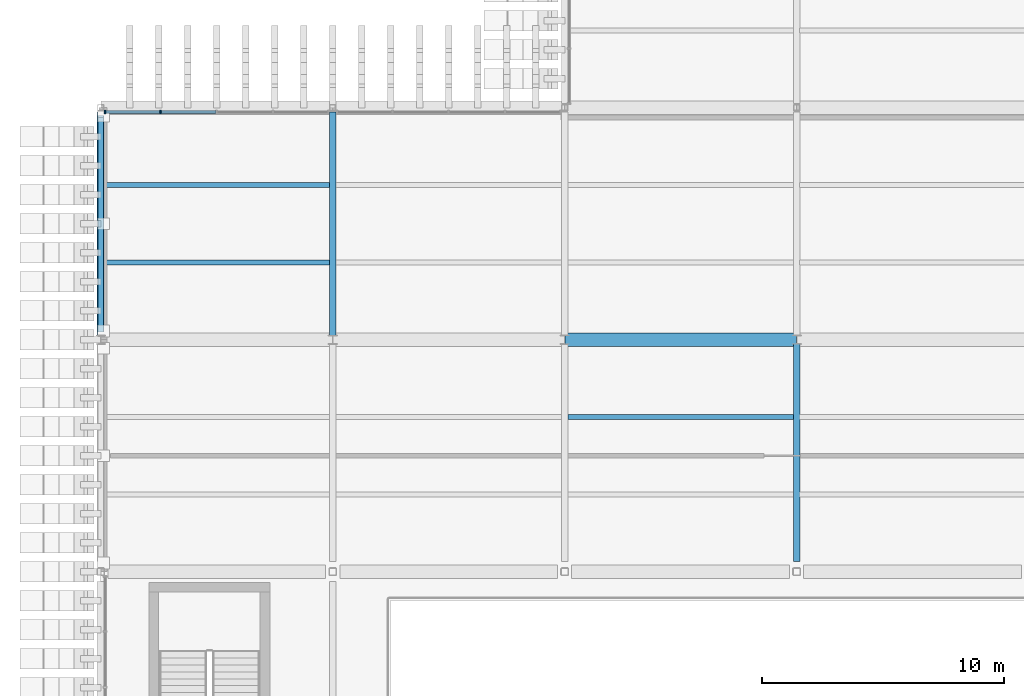
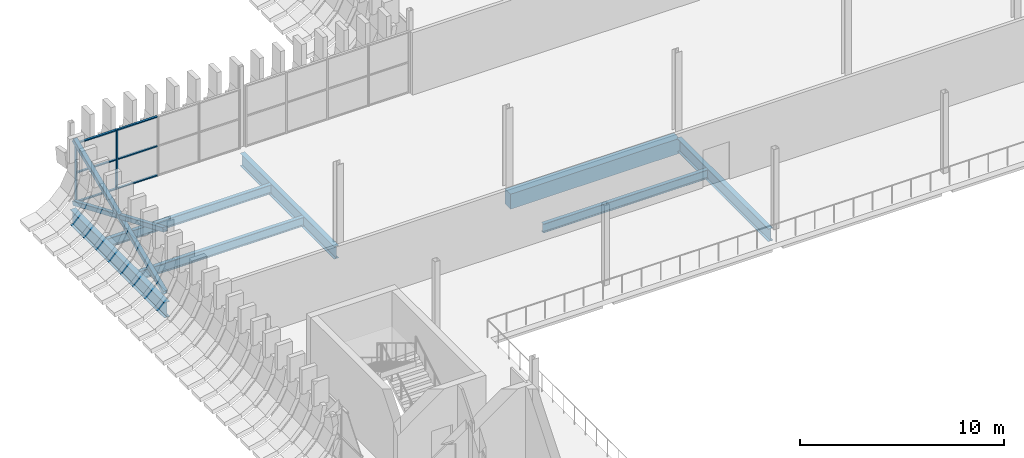
# One storey, part 22 of 100: 11 members, 7 beams, 1 element without a shape of its own.
"""IFC4 building model written with IfcOpenShell, lengths in metres."""

from ifc_helpers import new_model, si_unit, direction, frame, origin, origin_2d, place, context, subcontext, project, spatial, rectangle, hollow_rectangle, i_section, extrude, material, layer, layer_set, material_profile, profile_set, type_object, element, aggregate, save


model = new_model("IFC4")

# Units and contexts
model_context = context("Model", 3, precision=1e-05, world=origin(), true_north=direction((0.0, 1.0)))
body_context = subcontext(model_context, "Body", "Model", "MODEL_VIEW")
ifc_project = project(units=[si_unit("LENGTHUNIT", "METRE"), si_unit("AREAUNIT", "SQUARE_METRE"), si_unit("VOLUMEUNIT", "CUBIC_METRE"), si_unit("PLANEANGLEUNIT", "RADIAN"), si_unit("MASSUNIT", "GRAM", prefix="KILO")], contexts=[model_context])

# Site, building, storey
site_placement = place(None, origin())
site = spatial("IfcSite", under=ifc_project, at=site_placement, CompositionType="ELEMENT")
building_placement = place(site_placement, origin())
building = spatial("IfcBuilding", under=site, at=building_placement, Name="Caelomonte Colonnade Arena", CompositionType="ELEMENT")
storey_placement = place(building_placement, origin())
storey = spatial("IfcBuildingStorey", under=building, at=storey_placement, Name="L00", CompositionType="ELEMENT", Elevation=0.0)

# Curtain wall, members
ifc_material_1 = material(Name="Bronze anodised aluminium and low-E glazing", Category="aluminium")
ifc_layer = layer(ifc_material_1, 0.179931640625)
ifc_layer_set = layer_set([ifc_layer], Name="Bronze anodised aluminium and low-E glazing")
curtain_wall_type = type_object("IfcCurtainWallType", Name="ENV-CW-CW-L00-96-36", PredefinedType="USERDEFINED", material=ifc_layer_set)
curtain_wall_placement = place(storey_placement, origin())
curtain_wall = element("IfcCurtainWall", 1, at=curtain_wall_placement, inside=storey, type_object=curtain_wall_type, Name="L00 unitized curtain wall CW-L00-0048-0862", ObjectType="UNITIZED CURTAIN WALL", PredefinedType="USERDEFINED")
ifc_material_2 = material(Name="Bronze anodised aluminium AA6063-T6", Category="aluminium")
ifc_material_profile_1 = material_profile(ifc_material_2, rectangle(XDim=0.06494140625, YDim=0.14990234375, at=origin_2d()), Name="CWM-65X150")
ifc_profile_set_1 = profile_set([ifc_material_profile_1], Name="Bronze anodised aluminium AA6063-T6")
member_type_1 = type_object("IfcMemberType", Name="ENV-CW-MULL2", PredefinedType="MULLION", material=ifc_profile_set_1)
member_1_placement = place(storey_placement, frame((2.473388671875, 86.219970703125, 0.0), z_axis=(0.0, 0.0, 1.0), x_axis=(-1.0, 0.0, 0.0)))
member_1 = element("IfcMember", 2, at=member_1_placement, type_object=member_type_1, Name="CW-L00-96-36 mullion 4", PredefinedType="MULLION", context=body_context, shape_type="SweptSolid", body=[
    extrude(rectangle(XDim=0.06494140625, YDim=0.14990234375, at=origin_2d()), origin(), (0.0, 0.0, 1.0), 3.572998046875),
])
member_2_placement = place(storey_placement, frame((0.179443359375, 86.219970703125, 0.0), z_axis=(0.0, 0.0, 1.0), x_axis=(-1.0, 0.0, 0.0)))
member_2 = element("IfcMember", 3, at=member_2_placement, type_object=member_type_1, Name="CW-L00-96-36 mullion 5", PredefinedType="MULLION", context=body_context, shape_type="SweptSolid", body=[
    extrude(rectangle(XDim=0.06494140625, YDim=0.14990234375, at=origin_2d()), origin(), (0.0, 0.0, 1.0), 3.572998046875),
])
ifc_material_profile_2 = material_profile(ifc_material_2, rectangle(XDim=0.06494140625, YDim=0.1201171875, at=origin_2d()), Name="CWT-65X120")
ifc_profile_set_2 = profile_set([ifc_material_profile_2], Name="Bronze anodised aluminium AA6063-T6")
member_type_2 = type_object("IfcMemberType", Name="ENV-CW-TRAN2", PredefinedType="USERDEFINED", material=ifc_profile_set_2)
member_3_placement = place(storey_placement, frame((4.767578125, 86.219970703125, 0.032470703125), z_axis=(-1.0, 0.0, 0.0), x_axis=(0.0, 0.0, 1.0)))
member_3 = element("IfcMember", 4, at=member_3_placement, type_object=member_type_2, Name="CW-L00-96-36 transom 3.1", ObjectType="TRANSOM", PredefinedType="USERDEFINED", context=body_context, shape_type="SweptSolid", body=[
    extrude(rectangle(XDim=0.06494140625, YDim=0.1201171875, at=origin_2d()), origin(), (0.0, 0.0, 1.0), 2.261474609375),
])
member_4_placement = place(storey_placement, frame((4.767578125, 86.219970703125, 1.78662109375), z_axis=(-1.0, 0.0, 0.0), x_axis=(0.0, 0.0, 1.0)))
member_4 = element("IfcMember", 5, at=member_4_placement, type_object=member_type_2, Name="CW-L00-96-36 transom 3.2", ObjectType="TRANSOM", PredefinedType="USERDEFINED", context=body_context, shape_type="SweptSolid", body=[
    extrude(rectangle(XDim=0.06494140625, YDim=0.1201171875, at=origin_2d()), origin(), (0.0, 0.0, 1.0), 2.261474609375),
])
member_5_placement = place(storey_placement, frame((4.767578125, 86.219970703125, 3.54052734375), z_axis=(-1.0, 0.0, 0.0), x_axis=(0.0, 0.0, 1.0)))
member_5 = element("IfcMember", 6, at=member_5_placement, type_object=member_type_2, Name="CW-L00-96-36 transom 3.3", ObjectType="TRANSOM", PredefinedType="USERDEFINED", context=body_context, shape_type="SweptSolid", body=[
    extrude(rectangle(XDim=0.06494140625, YDim=0.1201171875, at=origin_2d()), origin(), (0.0, 0.0, 1.0), 2.261474609375),
])
member_6_placement = place(storey_placement, frame((2.44091796875, 86.219970703125, 0.032470703125), z_axis=(-1.0, 0.0, 0.0), x_axis=(0.0, 0.0, 1.0)))
member_6 = element("IfcMember", 7, at=member_6_placement, type_object=member_type_2, Name="CW-L00-96-36 transom 4.1", ObjectType="TRANSOM", PredefinedType="USERDEFINED", context=body_context, shape_type="SweptSolid", body=[
    extrude(rectangle(XDim=0.06494140625, YDim=0.1201171875, at=origin_2d()), origin(), (0.0, 0.0, 1.0), 2.22900390625),
])
member_7_placement = place(storey_placement, frame((2.44091796875, 86.219970703125, 1.78662109375), z_axis=(-1.0, 0.0, 0.0), x_axis=(0.0, 0.0, 1.0)))
member_7 = element("IfcMember", 8, at=member_7_placement, type_object=member_type_2, Name="CW-L00-96-36 transom 4.2", ObjectType="TRANSOM", PredefinedType="USERDEFINED", context=body_context, shape_type="SweptSolid", body=[
    extrude(rectangle(XDim=0.06494140625, YDim=0.1201171875, at=origin_2d()), origin(), (0.0, 0.0, 1.0), 2.22900390625),
])
member_8_placement = place(storey_placement, frame((2.44091796875, 86.219970703125, 3.54052734375), z_axis=(-1.0, 0.0, 0.0), x_axis=(0.0, 0.0, 1.0)))
member_8 = element("IfcMember", 9, at=member_8_placement, type_object=member_type_2, Name="CW-L00-96-36 transom 4.3", ObjectType="TRANSOM", PredefinedType="USERDEFINED", context=body_context, shape_type="SweptSolid", body=[
    extrude(rectangle(XDim=0.06494140625, YDim=0.1201171875, at=origin_2d()), origin(), (0.0, 0.0, 1.0), 2.22900390625),
])
aggregate(curtain_wall, [member_1, member_2, member_3, member_4, member_5, member_6, member_7, member_8])

# Members
ifc_material_3 = material(Name="Steel ASTM A500 Grade C", Category="steel")
ifc_material_profile_3 = material_profile(ifc_material_3, hollow_rectangle(XDim=0.25390625, YDim=0.25390625, WallThickness=0.009521484375, InnerFilletRadius=0.009521484375, OuterFilletRadius=0.01904296875, at=origin_2d()), Name="HSS254X254X9.5")
ifc_profile_set_3 = profile_set([ifc_material_profile_3], Name="Steel ASTM A500 Grade C")
member_type_3 = type_object("IfcMemberType", Name="STR-BF-DIAG2", PredefinedType="BRACE", material=ifc_profile_set_3)
member_9_placement = place(storey_placement, frame((0.0, 77.163818359375, 0.16162109375), z_axis=(0.0, 0.920106108092, 0.3916691842), x_axis=(-1.0, 0.0, 0.0)))
element("IfcMember", 10, at=member_9_placement, inside=storey, type_object=member_type_3, Name="Braced frame BF2 L00 continuous diagonal A", PredefinedType="BRACE", context=body_context, shape_type="SweptSolid", body=[
    extrude(hollow_rectangle(XDim=0.25390625, YDim=0.25390625, WallThickness=0.009521484375, InnerFilletRadius=0.009521484375, OuterFilletRadius=0.01904296875, at=origin_2d()), origin(), (0.0, 0.0, 1.0), 9.64306640625),
])
for number, where, z_axis, x_axis, name in (
    (11, (0.0, 86.036376953125, 0.16162109375), (0.0, -0.920123691246, 0.391627875423), (1.0, 0.0, 0.0), "Braced frame BF2 L00 split diagonal B1"),
    (12, (0.0, 81.44921875, 2.1142578125), (0.0, -0.920104801315, 0.391672254055), (1.0, 0.0, 0.0), "Braced frame BF2 L00 split diagonal B2"),
):
    element("IfcMember", number, at=place(storey_placement, frame(where, z_axis=z_axis, x_axis=x_axis)), inside=storey, type_object=member_type_3, Name=name, PredefinedType="BRACE", context=body_context, shape_type="SweptSolid", body=[
        extrude(hollow_rectangle(XDim=0.25390625, YDim=0.25390625, WallThickness=0.009521484375, InnerFilletRadius=0.009521484375, OuterFilletRadius=0.01904296875, at=origin_2d()), origin(), (0.0, 0.0, 1.0), 4.657470703125),
    ])

# Beams
ifc_material_4 = material(Name="Wide-flange steel ASTM A992 Grade 50", Category="steel")
ifc_material_profile_4 = material_profile(ifc_material_4, i_section(OverallWidth=0.307861328125, OverallDepth=0.927001953125, WebThickness=0.019287109375, FlangeThickness=0.031982421875, FilletRadius=0.020263671875, at=origin_2d()), Name="W36X194")
ifc_profile_set_4 = profile_set([ifc_material_profile_4], Name="Wide-flange steel ASTM A992 Grade 50")
beam_type_1 = type_object("IfcBeamType", Name="STR-BM-EAVES2", PredefinedType="SPANDREL", material=ifc_profile_set_4)
beam_1_placement = place(storey_placement, frame((0.0, 76.978271484375, -0.763427734375), z_axis=(0.0, 1.0, 0.0), x_axis=(-1.0, 0.0, 0.0)))
element("IfcBeam", 13, at=beam_1_placement, inside=storey, type_object=beam_type_1, Name="L00 girder BMY-L00-0000-0768", PredefinedType="SPANDREL", context=body_context, shape_type="SweptSolid", body=[
    extrude(i_section(OverallWidth=0.307861328125, OverallDepth=0.927001953125, WebThickness=0.019287109375, FlangeThickness=0.031982421875, FilletRadius=0.020263671875, at=origin_2d()), origin(), (0.0, 0.0, 1.0), 9.243408203125),
])
ifc_material_profile_5 = material_profile(ifc_material_4, i_section(OverallWidth=0.2666015625, OverallDepth=0.761962890625, WebThickness=0.014404296875, FlangeThickness=0.021484375, FilletRadius=0.0166015625, at=origin_2d()), Name="W30X116")
ifc_profile_set_5 = profile_set([ifc_material_profile_5], Name="Wide-flange steel ASTM A992 Grade 50")
beam_type_2 = type_object("IfcBeamType", Name="STR-BM-GIRD30", PredefinedType="BEAM", material=ifc_profile_set_5)
beam_2_placement = place(storey_placement, frame((9.60009765625, 76.978271484375, -0.680908203125), z_axis=(0.0, 1.0, 0.0), x_axis=(-1.0, 0.0, 0.0)))
element("IfcBeam", 14, at=beam_2_placement, inside=storey, type_object=beam_type_2, Name="L00 girder BMY-L00-0096-0768", PredefinedType="BEAM", context=body_context, shape_type="SweptSolid", body=[
    extrude(i_section(OverallWidth=0.2666015625, OverallDepth=0.761962890625, WebThickness=0.014404296875, FlangeThickness=0.021484375, FilletRadius=0.0166015625, at=origin_2d()), origin(), (0.0, 0.0, 1.0), 9.243408203125),
])
beam_3_placement = place(storey_placement, frame((28.800048828125, 67.616943359375, -0.680908203125), z_axis=(0.0, 1.0, 0.0), x_axis=(-1.0, 0.0, 0.0)))
element("IfcBeam", 15, at=beam_3_placement, inside=storey, type_object=beam_type_2, Name="L00 girder BMY-L00-0288-0672", PredefinedType="BEAM", context=body_context, shape_type="SweptSolid", body=[
    extrude(i_section(OverallWidth=0.2666015625, OverallDepth=0.761962890625, WebThickness=0.014404296875, FlangeThickness=0.021484375, FilletRadius=0.0166015625, at=origin_2d()), origin(), (0.0, 0.0, 1.0), 9.0048828125),
])
ifc_material_profile_6 = material_profile(ifc_material_4, i_section(OverallWidth=0.209228515625, OverallDepth=0.533447265625, WebThickness=0.01025390625, FlangeThickness=0.015625, FilletRadius=0.0126953125, at=origin_2d()), Name="W21X62")
ifc_profile_set_6 = profile_set([ifc_material_profile_6], Name="Wide-flange steel ASTM A992 Grade 50")
beam_type_3 = type_object("IfcBeamType", Name="STR-BM-JOIST21", PredefinedType="JOIST", material=ifc_profile_set_6)
for number, where, z_axis, x_axis, name in (
    (16, (0.14892578125, 80.0, -0.566650390625), (1.0, 0.0, 0.0), (0.0, 1.0, 0.0), "L00 secondary joist 1"),
    (17, (0.14892578125, 83.199951171875, -0.566650390625), (1.0, 0.0, 0.0), (0.0, 1.0, 0.0), "L00 secondary joist 2"),
):
    element("IfcBeam", number, at=place(storey_placement, frame(where, z_axis=z_axis, x_axis=x_axis)), inside=storey, type_object=beam_type_3, Name=name, PredefinedType="JOIST", context=body_context, shape_type="SweptSolid", body=[
        extrude(i_section(OverallWidth=0.209228515625, OverallDepth=0.533447265625, WebThickness=0.01025390625, FlangeThickness=0.015625, FilletRadius=0.0126953125, at=origin_2d()), origin(), (0.0, 0.0, 1.0), 9.32275390625),
    ])
beam_4_placement = place(storey_placement, frame((19.328369140625, 73.60009765625, -0.566650390625), z_axis=(1.0, 0.0, 0.0), x_axis=(0.0, 1.0, 0.0)))
element("IfcBeam", 18, at=beam_4_placement, inside=storey, type_object=beam_type_3, Name="L00 secondary joist 2", PredefinedType="JOIST", context=body_context, shape_type="SweptSolid", body=[
    extrude(i_section(OverallWidth=0.209228515625, OverallDepth=0.533447265625, WebThickness=0.01025390625, FlangeThickness=0.015625, FilletRadius=0.0126953125, at=origin_2d()), origin(), (0.0, 0.0, 1.0), 9.34326171875),
])
ifc_material_5 = material(Name="Concrete C40/50", Category="concrete")
ifc_material_profile_7 = material_profile(ifc_material_5, rectangle(XDim=0.550048828125, YDim=0.89990234375, at=origin_2d()), Name="RC550X900")
ifc_profile_set_7 = profile_set([ifc_material_profile_7], Name="Concrete C40/50")
beam_type_4 = type_object("IfcBeamType", Name="STR-BM-RC55", PredefinedType="BEAM", material=ifc_profile_set_7)
beam_5_placement = place(storey_placement, frame((19.208251953125, 76.800048828125, -0.75), z_axis=(1.0, 0.0, 0.0), x_axis=(0.0, 1.0, 0.0)))
element("IfcBeam", 19, at=beam_5_placement, inside=storey, type_object=beam_type_4, Name="L00 girder BMX-L00-0192-0768", PredefinedType="BEAM", context=body_context, shape_type="SweptSolid", body=[
    extrude(rectangle(XDim=0.550048828125, YDim=0.89990234375, at=origin_2d()), origin(), (0.0, 0.0, 1.0), 9.58349609375),
])

save(model, "model.ifc")
